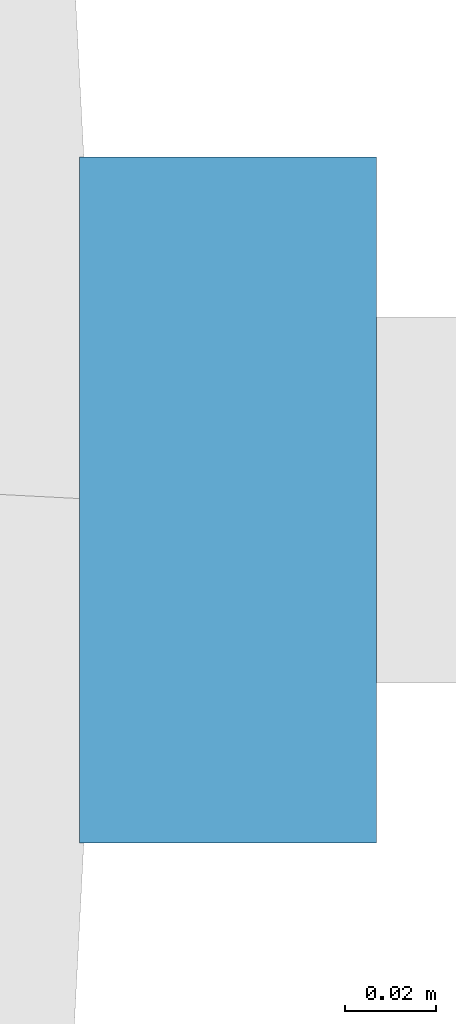
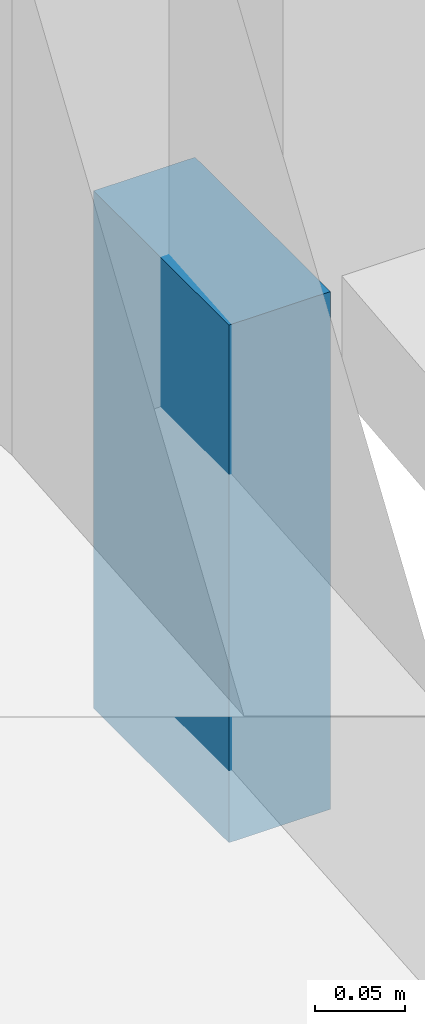
# One storey, part 16 of 20: 1 discrete accessory.
"""IFC4 building model written with IfcOpenShell, lengths in metres."""

from ifc_helpers import new_model, si_unit, direction, frame, origin, origin_2d, place, context, subcontext, project, spatial, rectangle, extrude, material, type_object, element, save


model = new_model("IFC4")

# Units and contexts
model_context = context("Model", 3, precision=1e-05, world=origin(), true_north=direction((0.0, 1.0)))
body_context = subcontext(model_context, "Body", "Model", "MODEL_VIEW")
ifc_project = project(units=[si_unit("LENGTHUNIT", "METRE"), si_unit("AREAUNIT", "SQUARE_METRE"), si_unit("VOLUMEUNIT", "CUBIC_METRE"), si_unit("PLANEANGLEUNIT", "RADIAN"), si_unit("MASSUNIT", "GRAM", prefix="KILO")], contexts=[model_context])

# Site, building, storey
site_placement = place(None, origin())
site = spatial("IfcSite", under=ifc_project, at=site_placement, CompositionType="ELEMENT")
building_placement = place(site_placement, origin())
building = spatial("IfcBuilding", under=site, at=building_placement, Name="Ghaith Harvest Tower", CompositionType="ELEMENT")
storey_placement = place(building_placement, frame((0.0, 0.0, 90.0)))
storey = spatial("IfcBuildingStorey", under=building, at=storey_placement, Name="L18", CompositionType="ELEMENT", Elevation=90.0)

# Discrete accessory
ifc_material = material(Name="Stainless steel grade 1.4401", Category="steel")
discrete_accessory_type = type_object("IfcDiscreteAccessoryType", Name="CURTAIN WALL BRACKET 65", PredefinedType="BRACKET", material=ifc_material)
discrete_accessory_placement = place(storey_placement, frame((34.152587890625, 0.0, -0.25), z_axis=(0.0, 0.0, 1.0), x_axis=(1.0, 0.0, 0.0)))
element("IfcDiscreteAccessory", 1, at=discrete_accessory_placement, inside=storey, type_object=discrete_accessory_type, Name="CW-F bracket 1 bay 01 L18", PredefinedType="BRACKET", context=body_context, shape_type="SweptSolid", body=[
    extrude(rectangle(XDim=0.06494140625, YDim=0.14990234375, at=origin_2d()), origin(), (0.0, 0.0, 1.0), 0.35009765625),
])

save(model, "model.ifc")
